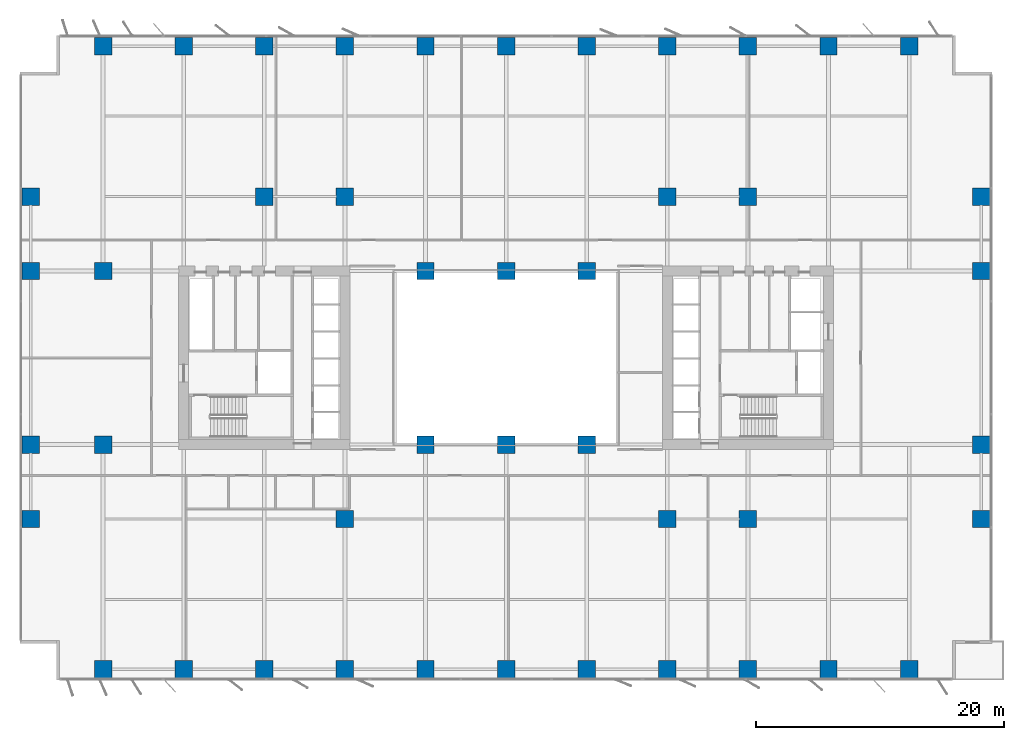
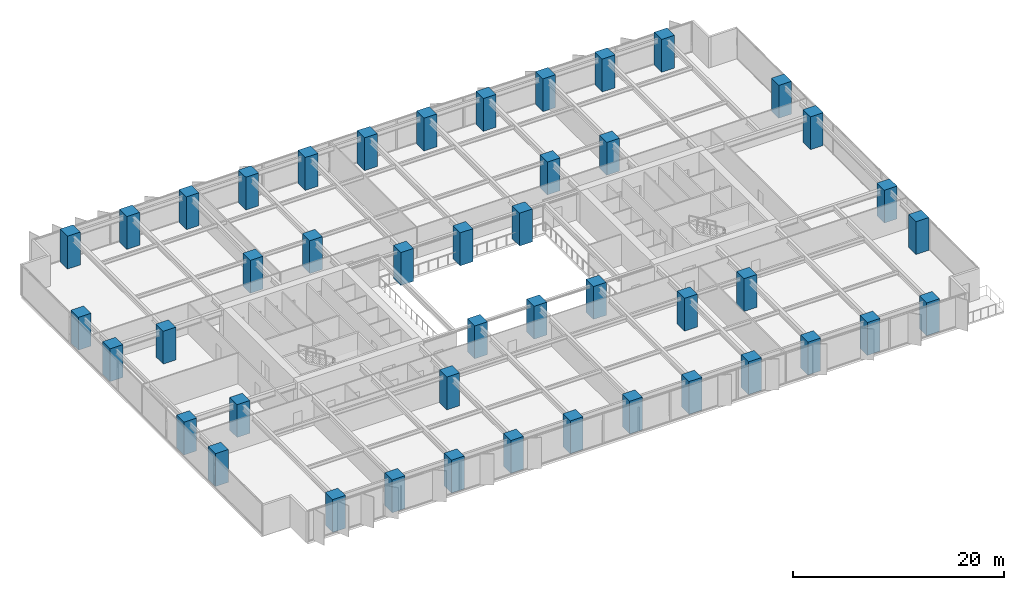
# One storey, part 1 of 20: 45 columns.
"""IFC4 building model written with IfcOpenShell, lengths in metres."""

from ifc_helpers import new_model, si_unit, direction, frame, origin, origin_2d, place, context, subcontext, project, spatial, rectangle, extrude, material, material_profile, profile_set, type_object, element, save


model = new_model("IFC4")

# Units and contexts
model_context = context("Model", 3, precision=1e-05, world=origin(), true_north=direction((0.0, 1.0)))
body_context = subcontext(model_context, "Body", "Model", "MODEL_VIEW")
ifc_project = project(units=[si_unit("LENGTHUNIT", "METRE"), si_unit("AREAUNIT", "SQUARE_METRE"), si_unit("VOLUMEUNIT", "CUBIC_METRE"), si_unit("PLANEANGLEUNIT", "RADIAN"), si_unit("MASSUNIT", "GRAM", prefix="KILO")], contexts=[model_context])

# Site, building, storey
site_placement = place(None, origin())
site = spatial("IfcSite", under=ifc_project, at=site_placement, CompositionType="ELEMENT")
building_placement = place(site_placement, origin())
building = spatial("IfcBuilding", under=site, at=building_placement, Name="Putna Gate Headquarters", CompositionType="ELEMENT")
storey_placement = place(building_placement, frame((0.0, 0.0, 46.800048828125)))
storey = spatial("IfcBuildingStorey", under=building, at=storey_placement, Name="L10", CompositionType="ELEMENT", Elevation=46.800048828125)

# Columns
ifc_material = material(Name="Concrete C60/75", Category="concrete")
ifc_material_profile_1 = material_profile(ifc_material, rectangle(XDim=1.39990234375, YDim=1.39990234375, at=origin_2d()), Name="Concrete C60/75")
ifc_profile_set_1 = profile_set([ifc_material_profile_1], Name="Concrete C60/75")
column_type_1 = type_object("IfcColumnType", Name="COL-RC1400-EXT", PredefinedType="COLUMN", material=ifc_profile_set_1)
for number, where, z_axis, x_axis, name in (
    (1, (6.5, 0.8798828125, 0.0), (0.0, 0.0, 1.0), (1.0, 0.0, 0.0), "L10 Column CP-S6"),
    (2, (6.5, 51.1201171875, 0.0), (0.0, 0.0, 1.0), (1.0, 0.0, 0.0), "L10 Column CP-N6"),
    (3, (13.0, 0.8798828125, 0.0), (0.0, 0.0, 1.0), (1.0, 0.0, 0.0), "L10 Column CP-S13"),
    (4, (13.0, 51.1201171875, 0.0), (0.0, 0.0, 1.0), (1.0, 0.0, 0.0), "L10 Column CP-N13"),
    (5, (19.5, 0.8798828125, 0.0), (0.0, 0.0, 1.0), (1.0, 0.0, 0.0), "L10 Column CP-S19"),
    (6, (19.5, 51.1201171875, 0.0), (0.0, 0.0, 1.0), (1.0, 0.0, 0.0), "L10 Column CP-N19"),
    (7, (26.0, 0.8798828125, 0.0), (0.0, 0.0, 1.0), (1.0, 0.0, 0.0), "L10 Column CP-S26"),
    (8, (26.0, 51.1201171875, 0.0), (0.0, 0.0, 1.0), (1.0, 0.0, 0.0), "L10 Column CP-N26"),
    (9, (32.5, 0.8798828125, 0.0), (0.0, 0.0, 1.0), (1.0, 0.0, 0.0), "L10 Column CP-S32"),
    (10, (32.5, 51.1201171875, 0.0), (0.0, 0.0, 1.0), (1.0, 0.0, 0.0), "L10 Column CP-N32"),
    (11, (39.0, 0.8798828125, 0.0), (0.0, 0.0, 1.0), (1.0, 0.0, 0.0), "L10 Column CP-S39"),
    (12, (39.0, 51.1201171875, 0.0), (0.0, 0.0, 1.0), (1.0, 0.0, 0.0), "L10 Column CP-N39"),
    (13, (45.5, 0.8798828125, 0.0), (0.0, 0.0, 1.0), (1.0, 0.0, 0.0), "L10 Column CP-S45"),
    (14, (45.5, 51.1201171875, 0.0), (0.0, 0.0, 1.0), (1.0, 0.0, 0.0), "L10 Column CP-N45"),
    (15, (52.0, 0.8798828125, 0.0), (0.0, 0.0, 1.0), (1.0, 0.0, 0.0), "L10 Column CP-S52"),
    (16, (52.0, 51.1201171875, 0.0), (0.0, 0.0, 1.0), (1.0, 0.0, 0.0), "L10 Column CP-N52"),
    (17, (58.5, 0.8798828125, 0.0), (0.0, 0.0, 1.0), (1.0, 0.0, 0.0), "L10 Column CP-S58"),
    (18, (58.5, 51.1201171875, 0.0), (0.0, 0.0, 1.0), (1.0, 0.0, 0.0), "L10 Column CP-N58"),
    (19, (65.0, 0.8798828125, 0.0), (0.0, 0.0, 1.0), (1.0, 0.0, 0.0), "L10 Column CP-S65"),
    (20, (65.0, 51.1201171875, 0.0), (0.0, 0.0, 1.0), (1.0, 0.0, 0.0), "L10 Column CP-N65"),
    (21, (71.5, 0.8798828125, 0.0), (0.0, 0.0, 1.0), (1.0, 0.0, 0.0), "L10 Column CP-S71"),
    (22, (71.5, 51.1201171875, 0.0), (0.0, 0.0, 1.0), (1.0, 0.0, 0.0), "L10 Column CP-N71"),
    (23, (0.679931640625, 13.0, 0.0), (0.0, 0.0, 1.0), (1.0, 0.0, 0.0), "L10 Column CP-W13"),
    (24, (77.320068359375, 13.0, 0.0), (0.0, 0.0, 1.0), (1.0, 0.0, 0.0), "L10 Column CP-E13"),
    (25, (0.679931640625, 19.0, 0.0), (0.0, 0.0, 1.0), (1.0, 0.0, 0.0), "L10 Column CP-W19"),
    (26, (77.320068359375, 19.0, 0.0), (0.0, 0.0, 1.0), (1.0, 0.0, 0.0), "L10 Column CP-E19"),
    (27, (0.679931640625, 33.0, 0.0), (0.0, 0.0, 1.0), (1.0, 0.0, 0.0), "L10 Column CP-W33"),
    (28, (77.320068359375, 33.0, 0.0), (0.0, 0.0, 1.0), (1.0, 0.0, 0.0), "L10 Column CP-E33"),
    (29, (0.679931640625, 39.0, 0.0), (0.0, 0.0, 1.0), (1.0, 0.0, 0.0), "L10 Column CP-W39"),
    (30, (77.320068359375, 39.0, 0.0), (0.0, 0.0, 1.0), (1.0, 0.0, 0.0), "L10 Column CP-E39"),
):
    element("IfcColumn", number, at=place(storey_placement, frame(where, z_axis=z_axis, x_axis=x_axis)), inside=storey, type_object=column_type_1, Name=name, PredefinedType="COLUMN", context=body_context, shape_type="SweptSolid", body=[
        extrude(rectangle(XDim=1.39990234375, YDim=1.39990234375, at=origin_2d()), origin(), (0.0, 0.0, 1.0), 3.800048828125),
    ])
ifc_material_profile_2 = material_profile(ifc_material, rectangle(XDim=1.39990234375, YDim=1.39990234375, at=origin_2d()), Name="Concrete C60/75")
ifc_profile_set_2 = profile_set([ifc_material_profile_2], Name="Concrete C60/75")
column_type_2 = type_object("IfcColumnType", Name="COL-RC1400-INT", PredefinedType="COLUMN", material=ifc_profile_set_2)
for number, where, z_axis, x_axis, name in (
    (31, (19.5, 39.0, 0.0), (0.0, 0.0, 1.0), (1.0, 0.0, 0.0), "L10 Column CSI-WN"),
    (32, (58.5, 13.0, 0.0), (0.0, 0.0, 1.0), (1.0, 0.0, 0.0), "L10 Column CSI-ES"),
    (33, (58.5, 39.0, 0.0), (0.0, 0.0, 1.0), (1.0, 0.0, 0.0), "L10 Column CSI-EN"),
    (34, (6.5, 19.0, 0.0), (0.0, 0.0, 1.0), (1.0, 0.0, 0.0), "L10 Column CSI-WM"),
    (35, (6.5, 33.0, 0.0), (0.0, 0.0, 1.0), (1.0, 0.0, 0.0), "L10 Column CSI-WNW"),
    (36, (32.5, 19.0, 0.0), (0.0, 0.0, 1.0), (1.0, 0.0, 0.0), "L10 Column CAI-S32"),
    (37, (32.5, 33.0, 0.0), (0.0, 0.0, 1.0), (1.0, 0.0, 0.0), "L10 Column CAI-N32"),
    (38, (39.0, 19.0, 0.0), (0.0, 0.0, 1.0), (1.0, 0.0, 0.0), "L10 Column CAI-S39"),
    (39, (39.0, 33.0, 0.0), (0.0, 0.0, 1.0), (1.0, 0.0, 0.0), "L10 Column CAI-N39"),
    (40, (45.5, 19.0, 0.0), (0.0, 0.0, 1.0), (1.0, 0.0, 0.0), "L10 Column CAI-S45"),
    (41, (45.5, 33.0, 0.0), (0.0, 0.0, 1.0), (1.0, 0.0, 0.0), "L10 Column CAI-N45"),
    (42, (26.0, 13.0, 0.0), (0.0, 0.0, 1.0), (1.0, 0.0, 0.0), "L10 Column CAP-WS"),
    (43, (26.0, 39.0, 0.0), (0.0, 0.0, 1.0), (1.0, 0.0, 0.0), "L10 Column CAP-WN"),
    (44, (52.0, 13.0, 0.0), (0.0, 0.0, 1.0), (1.0, 0.0, 0.0), "L10 Column CAP-ES"),
    (45, (52.0, 39.0, 0.0), (0.0, 0.0, 1.0), (1.0, 0.0, 0.0), "L10 Column CAP-EN"),
):
    element("IfcColumn", number, at=place(storey_placement, frame(where, z_axis=z_axis, x_axis=x_axis)), inside=storey, type_object=column_type_2, Name=name, PredefinedType="COLUMN", context=body_context, shape_type="SweptSolid", body=[
        extrude(rectangle(XDim=1.39990234375, YDim=1.39990234375, at=origin_2d()), origin(), (0.0, 0.0, 1.0), 3.800048828125),
    ])

save(model, "model.ifc")
